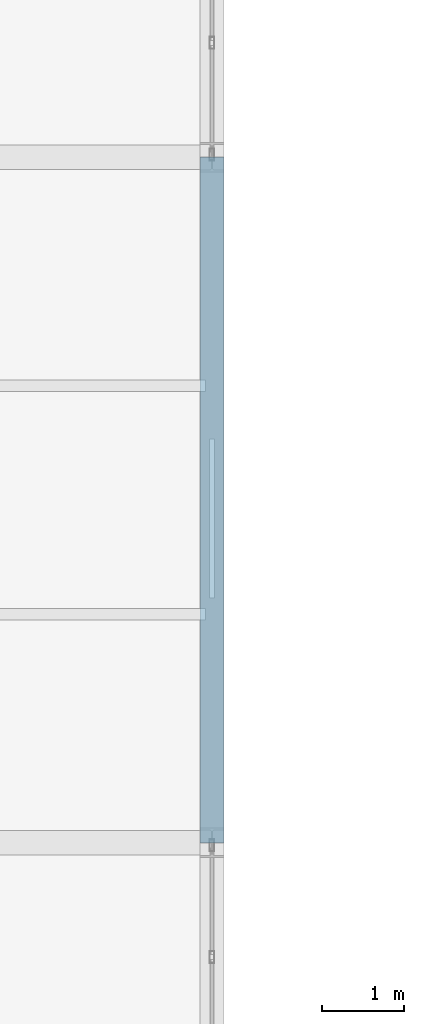
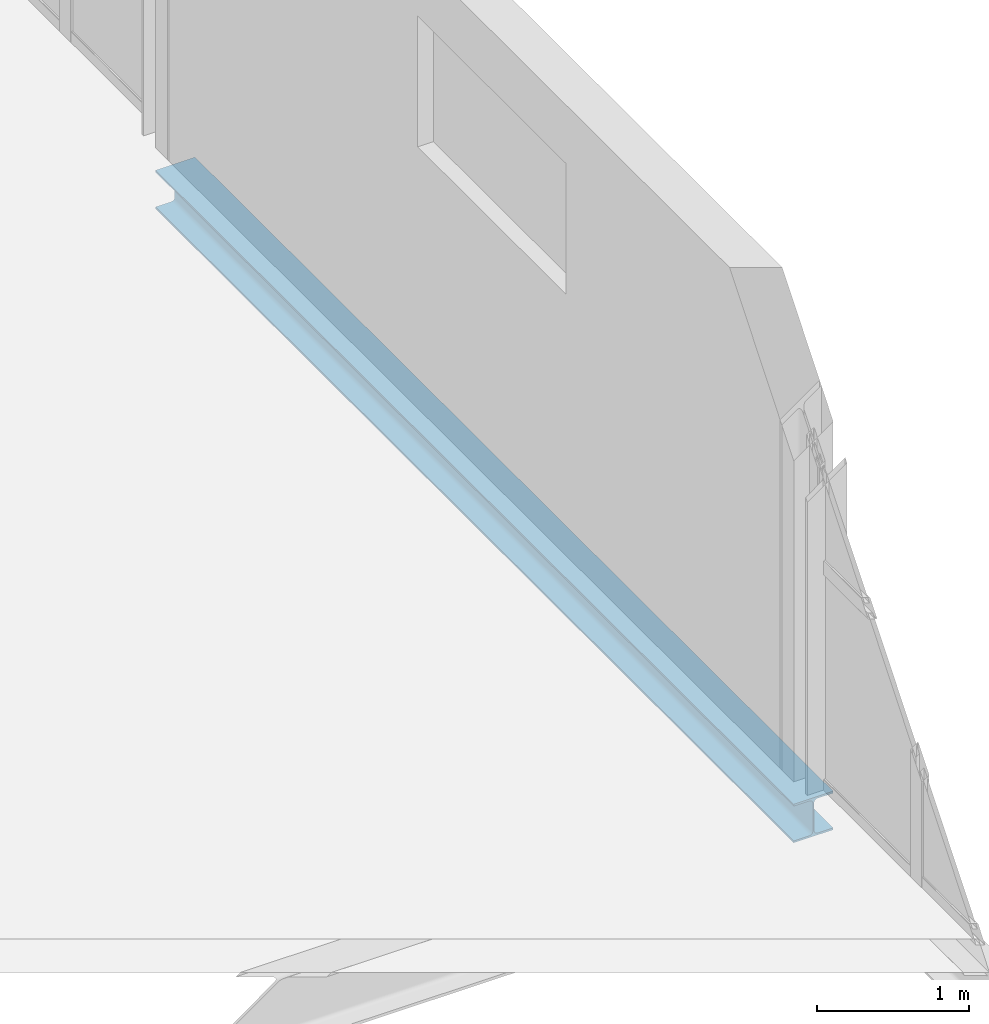
# One storey, part 50 of 163: 1 beam.
"""IFC4 building model written with IfcOpenShell, lengths in metres."""

from ifc_helpers import new_model, si_unit, direction, frame, origin, origin_2d, place, context, subcontext, project, spatial, i_section, extrude, material, material_profile, profile_set, type_object, element, save


model = new_model("IFC4")

# Units and contexts
model_context = context("Model", 3, precision=1e-05, world=origin(), true_north=direction((0.0, 1.0)))
body_context = subcontext(model_context, "Body", "Model", "MODEL_VIEW")
ifc_project = project(units=[si_unit("LENGTHUNIT", "METRE"), si_unit("AREAUNIT", "SQUARE_METRE"), si_unit("VOLUMEUNIT", "CUBIC_METRE"), si_unit("PLANEANGLEUNIT", "RADIAN"), si_unit("MASSUNIT", "GRAM", prefix="KILO")], contexts=[model_context])

# Site, building, storey
site_placement = place(None, origin())
site = spatial("IfcSite", under=ifc_project, at=site_placement, CompositionType="ELEMENT")
building_placement = place(site_placement, origin())
building = spatial("IfcBuilding", under=site, at=building_placement, Name="Qalvenar Corner Mobility Hub", CompositionType="ELEMENT")
storey_placement = place(building_placement, frame((0.0, 0.0, 4.800048828125)))
storey = spatial("IfcBuildingStorey", under=building, at=storey_placement, Name="L01", CompositionType="ELEMENT", Elevation=4.800048828125)

# Beam
ifc_material = material(Name="Steel S355", Category="steel")
ifc_material_profile = material_profile(ifc_material, i_section(OverallWidth=0.300048828125, OverallDepth=0.31005859375, WebThickness=0.009033203125, FlangeThickness=0.015380859375, FilletRadius=0.027099609375, at=origin_2d()), Name="HEA320")
ifc_profile_set = profile_set([ifc_material_profile], Name="Steel S355")
beam_type = type_object("IfcBeamType", Name="BM-SPN320", PredefinedType="SPANDREL", material=ifc_profile_set)
beam_placement = place(storey_placement, frame((33.60009765625, 58.800048828125, -0.3349609375), z_axis=(0.0, 1.0, 0.0), x_axis=(-1.0, 0.0, 0.0)))
element("IfcBeam", 1, at=beam_placement, inside=storey, type_object=beam_type, Name="Primary Steel Girder GY-1206", PredefinedType="SPANDREL", context=body_context, shape_type="SweptSolid", body=[
    extrude(i_section(OverallWidth=0.300048828125, OverallDepth=0.31005859375, WebThickness=0.009033203125, FlangeThickness=0.015380859375, FilletRadius=0.027099609375, at=origin_2d()), origin(), (0.0, 0.0, 1.0), 8.39990234375),
])

save(model, "model.ifc")
